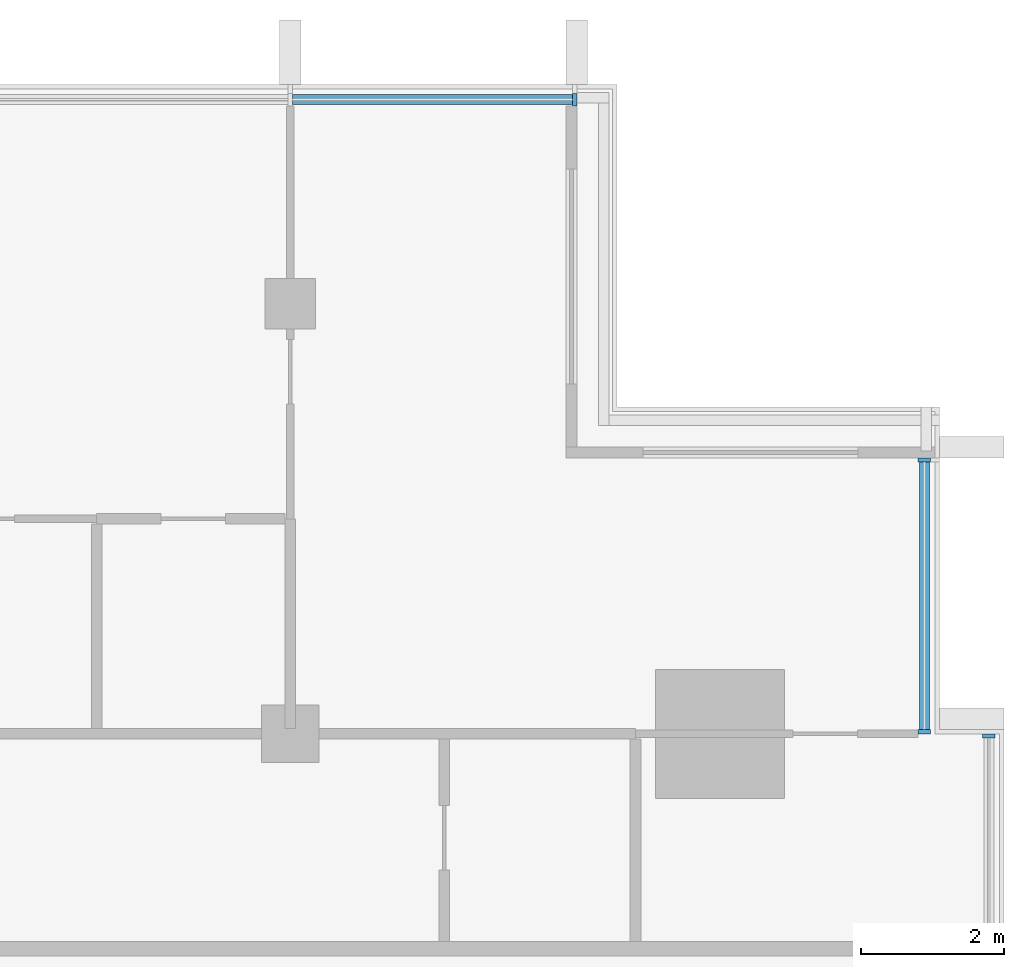
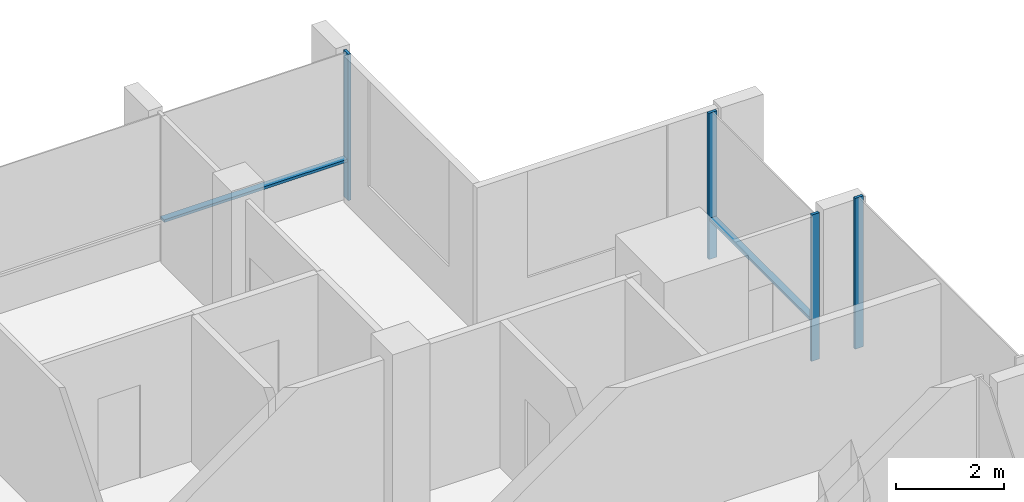
# One storey, part 5 of 16: 6 members, 3 elements without a shape of their own.
"""IFC4 building model written with IfcOpenShell, lengths in metres."""

from ifc_helpers import new_model, si_unit, direction, frame, origin, origin_2d, place, context, subcontext, project, spatial, rectangle, extrude, material, material_profile, profile_set, type_object, element, aggregate, save


model = new_model("IFC4")

# Units and contexts
model_context = context("Model", 3, precision=1e-05, world=origin(), true_north=direction((0.0, 1.0)))
body_context = subcontext(model_context, "Body", "Model", "MODEL_VIEW")
ifc_project = project(units=[si_unit("LENGTHUNIT", "METRE"), si_unit("AREAUNIT", "SQUARE_METRE"), si_unit("VOLUMEUNIT", "CUBIC_METRE"), si_unit("PLANEANGLEUNIT", "RADIAN"), si_unit("MASSUNIT", "GRAM", prefix="KILO")], contexts=[model_context])

# Site, building, storey
site_placement = place(None, origin())
site = spatial("IfcSite", under=ifc_project, at=site_placement, CompositionType="ELEMENT")
building_placement = place(site_placement, origin())
building = spatial("IfcBuilding", under=site, at=building_placement, Name="Finial Court Residences", CompositionType="ELEMENT")
storey_placement = place(building_placement, frame((0.0, 0.0, 255.5)))
storey = spatial("IfcBuildingStorey", under=building, at=storey_placement, Name="L64", CompositionType="ELEMENT", Elevation=255.5)

# Curtain wall, member
ifc_material = material(Name="Bronze anodised aluminium", Category="aluminium")
curtain_wall_type = type_object("IfcCurtainWallType", Name="Unitised curtain wall, upper zones", PredefinedType="NOTDEFINED", material=ifc_material)
curtain_wall_1_placement = place(storey_placement, origin())
curtain_wall_1 = element("IfcCurtainWall", 1, at=curtain_wall_1_placement, inside=storey, type_object=curtain_wall_type, Name="E-L64-CW-N3", PredefinedType="NOTDEFINED")
ifc_material_profile_1 = material_profile(ifc_material, rectangle(XDim=0.175048828125, YDim=0.06005859375, at=origin_2d()), Name="CW2 mullion 60 x 175")
ifc_profile_set_1 = profile_set([ifc_material_profile_1], Name="Bronze anodised aluminium")
member_type_1 = type_object("IfcMemberType", Name="CW2 mullion 60 x 175", PredefinedType="MULLION", material=ifc_profile_set_1)
member_1_placement = place(storey_placement, frame((14.469970703125, 16.35009765625, 0.0), z_axis=(0.0, 0.0, 1.0), x_axis=(0.0, 1.0, 0.0)))
member_1 = element("IfcMember", 2, at=member_1_placement, type_object=member_type_1, Name="CW2 mullion 3", PredefinedType="MULLION", context=body_context, shape_type="SweptSolid", body=[
    extrude(rectangle(XDim=0.175048828125, YDim=0.06005859375, at=origin_2d()), origin(), (0.0, 0.0, 1.0), 3.300048828125),
])

curtain_wall_2_placement = place(storey_placement, origin())
curtain_wall_2 = element("IfcCurtainWall", 3, at=curtain_wall_2_placement, inside=storey, type_object=curtain_wall_type, Name="E-L64-CW-E5", PredefinedType="NOTDEFINED")
member_2_placement = place(storey_placement, frame((20.25, 7.469970703125, 0.0), z_axis=(0.0, 0.0, 1.0), x_axis=(-1.0, 0.0, 0.0)))
member_2 = element("IfcMember", 4, at=member_2_placement, type_object=member_type_1, Name="CW2 mullion 2", PredefinedType="MULLION", context=body_context, shape_type="SweptSolid", body=[
    extrude(rectangle(XDim=0.175048828125, YDim=0.06005859375, at=origin_2d()), origin(), (0.0, 0.0, 1.0), 3.39990234375),
])
aggregate(curtain_wall_2, [member_2])

# Curtain wall, members
curtain_wall_3_placement = place(storey_placement, origin())
curtain_wall_3 = element("IfcCurtainWall", 5, at=curtain_wall_3_placement, inside=storey, type_object=curtain_wall_type, Name="E-L64-CW-E6", PredefinedType="NOTDEFINED")
member_3_placement = place(storey_placement, frame((19.35009765625, 7.530029296875, 0.0), z_axis=(0.0, 0.0, 1.0), x_axis=(-1.0, 0.0, 0.0)))
member_3 = element("IfcMember", 6, at=member_3_placement, type_object=member_type_1, Name="CW2 mullion 1", PredefinedType="MULLION", context=body_context, shape_type="SweptSolid", body=[
    extrude(rectangle(XDim=0.175048828125, YDim=0.06005859375, at=origin_2d()), origin(), (0.0, 0.0, 1.0), 3.300048828125),
])
member_4_placement = place(storey_placement, frame((19.35009765625, 11.320068359375, 0.0), z_axis=(0.0, 0.0, 1.0), x_axis=(-1.0, 0.0, 0.0)))
member_4 = element("IfcMember", 7, at=member_4_placement, type_object=member_type_1, Name="CW2 mullion 2", PredefinedType="MULLION", context=body_context, shape_type="SweptSolid", body=[
    extrude(rectangle(XDim=0.175048828125, YDim=0.06005859375, at=origin_2d()), origin(), (0.0, 0.0, 1.0), 3.300048828125),
])

# Member
ifc_material_profile_2 = material_profile(ifc_material, rectangle(XDim=0.139892578125, YDim=0.06005859375, at=origin_2d()), Name="CW2 transom 60 x 140")
ifc_profile_set_2 = profile_set([ifc_material_profile_2], Name="Bronze anodised aluminium")
member_type_2 = type_object("IfcMemberType", Name="CW2 transom 60 x 140", PredefinedType="USERDEFINED", material=ifc_profile_set_2)
member_5_placement = place(storey_placement, frame((10.530029296875, 16.35009765625, 0.89990234375), z_axis=(1.0, 0.0, 0.0), x_axis=(0.0, 1.0, 0.0)))
member_5 = element("IfcMember", 8, at=member_5_placement, type_object=member_type_2, Name="CW2 transom 2.1", ObjectType="TRANSOM", PredefinedType="USERDEFINED", context=body_context, shape_type="SweptSolid", body=[
    extrude(rectangle(XDim=0.139892578125, YDim=0.06005859375, at=origin_2d()), origin(), (0.0, 0.0, 1.0), 3.909912109375),
])

aggregate(curtain_wall_1, [member_1, member_5])

member_6_placement = place(storey_placement, frame((19.35009765625, 7.56005859375, 0.89990234375), z_axis=(0.0, 1.0, 0.0), x_axis=(-1.0, 0.0, 0.0)))
member_6 = element("IfcMember", 9, at=member_6_placement, type_object=member_type_2, Name="CW2 transom 1.1", ObjectType="TRANSOM", PredefinedType="USERDEFINED", context=body_context, shape_type="SweptSolid", body=[
    extrude(rectangle(XDim=0.139892578125, YDim=0.06005859375, at=origin_2d()), origin(), (0.0, 0.0, 1.0), 3.72998046875),
])

aggregate(curtain_wall_3, [member_3, member_4, member_6])

save(model, "model.ifc")
